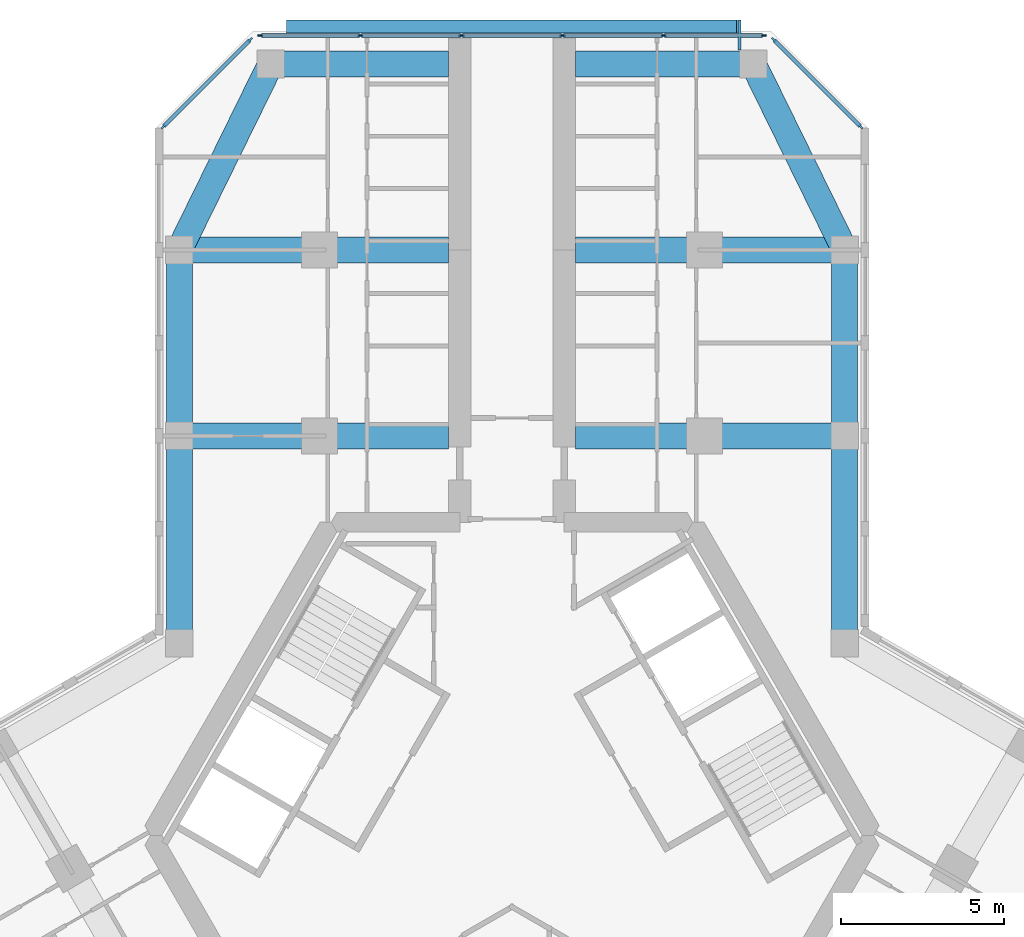
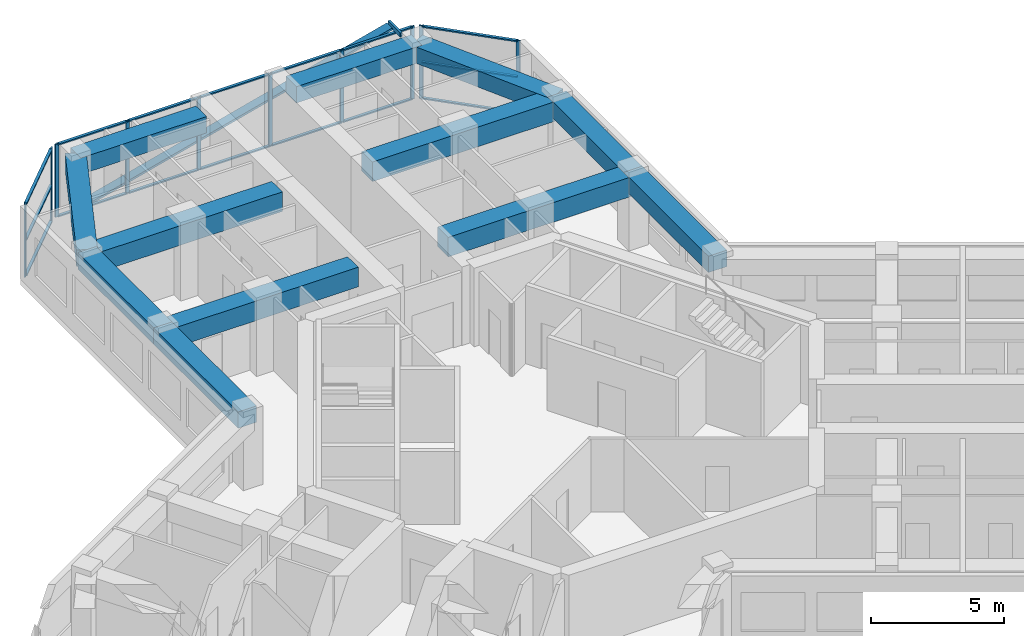
# One storey, part 6 of 16: 28 members, 12 beams, 3 elements without a shape of their own.
"""IFC4 building model written with IfcOpenShell, lengths in metres."""

from ifc_helpers import new_model, si_unit, direction, frame, origin, origin_2d, place, context, subcontext, project, spatial, rectangle, hollow_rectangle, extrude, material, material_profile, profile_set, type_object, element, aggregate, save


model = new_model("IFC4")

# Units and contexts
model_context = context("Model", 3, precision=1e-05, world=origin(), true_north=direction((0.0, 1.0)))
body_context = subcontext(model_context, "Body", "Model", "MODEL_VIEW")
ifc_project = project(units=[si_unit("LENGTHUNIT", "METRE"), si_unit("AREAUNIT", "SQUARE_METRE"), si_unit("VOLUMEUNIT", "CUBIC_METRE"), si_unit("PLANEANGLEUNIT", "RADIAN"), si_unit("MASSUNIT", "GRAM", prefix="KILO")], contexts=[model_context])

# Site, building, storey
site_placement = place(None, origin())
site = spatial("IfcSite", under=ifc_project, at=site_placement, CompositionType="ELEMENT")
building_placement = place(site_placement, origin())
building = spatial("IfcBuilding", under=site, at=building_placement, Name="Kosmar Iwan School Tower", CompositionType="ELEMENT")
storey_placement = place(building_placement, frame((0.0, 0.0, 249.60009765625)))
storey = spatial("IfcBuildingStorey", under=building, at=storey_placement, Name="L63", CompositionType="ELEMENT", Elevation=249.60009765625)

# Members
ifc_material_1 = material(Name="Black anodised aluminium", Category="aluminium")
ifc_material_profile_1 = material_profile(ifc_material_1, rectangle(XDim=0.10009765625, YDim=0.39990234375, at=origin_2d()), Name="FIN 100x400")
ifc_profile_set_1 = profile_set([ifc_material_profile_1], Name="Black anodised aluminium")
member_type_1 = type_object("IfcMemberType", Name="Diagonal fin 100x400", PredefinedType="USERDEFINED", material=ifc_profile_set_1)
member_1_placement = place(storey_placement, frame((-6.898193359375, 24.800048828125, -0.150146484375), z_axis=(0.967599450335, 0.0, 0.252490205179), x_axis=(-0.252490205179, 0.0, 0.967599450335)))
element("IfcMember", 1, at=member_1_placement, inside=storey, type_object=member_type_1, Name="Diagonal fin L63-F06", ObjectType="FIN", PredefinedType="USERDEFINED", context=body_context, shape_type="SweptSolid", body=[
    extrude(rectangle(XDim=0.10009765625, YDim=0.39990234375, at=origin_2d()), origin(), (0.0, 0.0, 1.0), 14.25830078125),
])
ifc_material_2 = material(Name="Steel S355", Category="steel")
ifc_material_profile_2 = material_profile(ifc_material_2, hollow_rectangle(XDim=0.10009765625, YDim=0.199951171875, WallThickness=0.008056640625, at=origin_2d()), Name="RHS 200x100x8")
ifc_profile_set_2 = profile_set([ifc_material_profile_2], Name="Steel S355")
member_type_2 = type_object("IfcMemberType", Name="Fin bracket RHS 200x100", PredefinedType="USERDEFINED", material=ifc_profile_set_2)
member_2_placement = place(storey_placement, frame((6.97509765625, 24.074951171875, 3.474853515625), z_axis=(0.0, 1.0, 0.0), x_axis=(-1.0, 0.0, 0.0)))
element("IfcMember", 2, at=member_2_placement, inside=storey, type_object=member_type_2, Name="Fin bracket L64", ObjectType="FIN BRACKET", PredefinedType="USERDEFINED", context=body_context, shape_type="SweptSolid", body=[
    extrude(hollow_rectangle(XDim=0.10009765625, YDim=0.199951171875, WallThickness=0.008056640625, at=origin_2d()), origin(), (0.0, 0.0, 1.0), 0.925048828125),
])

# Curtain wall, members
ifc_material_3 = material(Name="Dark glass in black aluminium frame", Category="aluminium")
curtain_wall_type_1 = type_object("IfcCurtainWallType", Name="Chamfer curtain wall dark glass", PredefinedType="USERDEFINED", material=ifc_material_3)
curtain_wall_1_placement = place(storey_placement, origin())
curtain_wall_1 = element("IfcCurtainWall", 3, at=curtain_wall_1_placement, inside=storey, type_object=curtain_wall_type_1, Name="Curtain wall L63-F05", ObjectType="FACETED CURTAIN WALL", PredefinedType="USERDEFINED")
ifc_material_4 = material(Name="Black anodised aluminium", Category="aluminium")
ifc_material_profile_3 = material_profile(ifc_material_4, rectangle(XDim=0.06005859375, YDim=0.159912109375, at=origin_2d()), Name="MULLION 60x160")
ifc_profile_set_3 = profile_set([ifc_material_profile_3], Name="Black anodised aluminium")
member_type_3 = type_object("IfcMemberType", Name="Mullion 60x160", PredefinedType="MULLION", material=ifc_profile_set_3)
member_3_placement = place(storey_placement, frame((10.69775390625, 21.7255859375, 0.0), z_axis=(0.0, 0.0, 1.0), x_axis=(-0.707106781187, -0.707106781187, 0.0)))
member_3 = element("IfcMember", 4, at=member_3_placement, type_object=member_type_3, Name="CW2 mullion 1", PredefinedType="MULLION", context=body_context, shape_type="SweptSolid", body=[
    extrude(rectangle(XDim=0.06005859375, YDim=0.159912109375, at=origin_2d()), origin(), (0.0, 0.0, 1.0), 3.349853515625),
])
member_4_placement = place(storey_placement, frame((8.025390625, 24.397705078125, 0.0), z_axis=(0.0, 0.0, 1.0), x_axis=(-0.707106781187, -0.707106781187, 0.0)))
member_4 = element("IfcMember", 5, at=member_4_placement, type_object=member_type_3, Name="CW2 mullion 2", PredefinedType="MULLION", context=body_context, shape_type="SweptSolid", body=[
    extrude(rectangle(XDim=0.06005859375, YDim=0.159912109375, at=origin_2d()), origin(), (0.0, 0.0, 1.0), 3.349853515625),
])

ifc_material_5 = material(Name="Dark glass in black aluminium frame", Category="aluminium")
curtain_wall_type_2 = type_object("IfcCurtainWallType", Name="Tower curtain wall dark glass", PredefinedType="USERDEFINED", material=ifc_material_5)
curtain_wall_2_placement = place(storey_placement, origin())
curtain_wall_2 = element("IfcCurtainWall", 6, at=curtain_wall_2_placement, inside=storey, type_object=curtain_wall_type_2, Name="Curtain wall L63-F06", ObjectType="UNITISED CURTAIN WALL", PredefinedType="USERDEFINED")
member_5_placement = place(storey_placement, frame((7.71826171875, 24.52490234375, 0.0), z_axis=(0.0, 0.0, 1.0), x_axis=(0.0, -1.0, 0.0)))
member_5 = element("IfcMember", 7, at=member_5_placement, type_object=member_type_3, Name="CW1 mullion 1", PredefinedType="MULLION", context=body_context, shape_type="SweptSolid", body=[
    extrude(rectangle(XDim=0.06005859375, YDim=0.159912109375, at=origin_2d()), origin(), (0.0, 0.0, 1.0), 3.349853515625),
])
member_6_placement = place(storey_placement, frame((4.64892578125, 24.52490234375, 0.0), z_axis=(0.0, 0.0, 1.0), x_axis=(0.0, -1.0, 0.0)))
member_6 = element("IfcMember", 8, at=member_6_placement, type_object=member_type_3, Name="CW1 mullion 2", PredefinedType="MULLION", context=body_context, shape_type="SweptSolid", body=[
    extrude(rectangle(XDim=0.06005859375, YDim=0.159912109375, at=origin_2d()), origin(), (0.0, 0.0, 1.0), 3.349853515625),
])
member_7_placement = place(storey_placement, frame((1.549560546875, 24.52490234375, 0.0), z_axis=(0.0, 0.0, 1.0), x_axis=(0.0, -1.0, 0.0)))
member_7 = element("IfcMember", 9, at=member_7_placement, type_object=member_type_3, Name="CW1 mullion 3", PredefinedType="MULLION", context=body_context, shape_type="SweptSolid", body=[
    extrude(rectangle(XDim=0.06005859375, YDim=0.159912109375, at=origin_2d()), origin(), (0.0, 0.0, 1.0), 3.349853515625),
])
member_8_placement = place(storey_placement, frame((-1.549560546875, 24.52490234375, 0.0), z_axis=(0.0, 0.0, 1.0), x_axis=(0.0, -1.0, 0.0)))
member_8 = element("IfcMember", 10, at=member_8_placement, type_object=member_type_3, Name="CW1 mullion 4", PredefinedType="MULLION", context=body_context, shape_type="SweptSolid", body=[
    extrude(rectangle(XDim=0.06005859375, YDim=0.159912109375, at=origin_2d()), origin(), (0.0, 0.0, 1.0), 3.349853515625),
])
member_9_placement = place(storey_placement, frame((-4.64892578125, 24.52490234375, 0.0), z_axis=(0.0, 0.0, 1.0), x_axis=(0.0, -1.0, 0.0)))
member_9 = element("IfcMember", 11, at=member_9_placement, type_object=member_type_3, Name="CW1 mullion 5", PredefinedType="MULLION", context=body_context, shape_type="SweptSolid", body=[
    extrude(rectangle(XDim=0.06005859375, YDim=0.159912109375, at=origin_2d()), origin(), (0.0, 0.0, 1.0), 3.349853515625),
])
member_10_placement = place(storey_placement, frame((-7.71826171875, 24.52490234375, 0.0), z_axis=(0.0, 0.0, 1.0), x_axis=(0.0, -1.0, 0.0)))
member_10 = element("IfcMember", 12, at=member_10_placement, type_object=member_type_3, Name="CW1 mullion 6", PredefinedType="MULLION", context=body_context, shape_type="SweptSolid", body=[
    extrude(rectangle(XDim=0.06005859375, YDim=0.159912109375, at=origin_2d()), origin(), (0.0, 0.0, 1.0), 3.349853515625),
])

curtain_wall_3_placement = place(storey_placement, origin())
curtain_wall_3 = element("IfcCurtainWall", 13, at=curtain_wall_3_placement, inside=storey, type_object=curtain_wall_type_1, Name="Curtain wall L63-F07", ObjectType="FACETED CURTAIN WALL", PredefinedType="USERDEFINED")
member_11_placement = place(storey_placement, frame((-8.025390625, 24.397705078125, 0.0), z_axis=(0.0, 0.0, 1.0), x_axis=(0.707106781187, -0.707106781187, 0.0)))
member_11 = element("IfcMember", 14, at=member_11_placement, type_object=member_type_3, Name="CW2 mullion 1", PredefinedType="MULLION", context=body_context, shape_type="SweptSolid", body=[
    extrude(rectangle(XDim=0.06005859375, YDim=0.159912109375, at=origin_2d()), origin(), (0.0, 0.0, 1.0), 3.349853515625),
])
member_12_placement = place(storey_placement, frame((-10.69775390625, 21.7255859375, 0.0), z_axis=(0.0, 0.0, 1.0), x_axis=(0.707106781187, -0.707106781187, 0.0)))
member_12 = element("IfcMember", 15, at=member_12_placement, type_object=member_type_3, Name="CW2 mullion 2", PredefinedType="MULLION", context=body_context, shape_type="SweptSolid", body=[
    extrude(rectangle(XDim=0.06005859375, YDim=0.159912109375, at=origin_2d()), origin(), (0.0, 0.0, 1.0), 3.349853515625),
])

# Beams
ifc_material_6 = material(Name="Concrete C50/60", Category="concrete")
ifc_material_profile_4 = material_profile(ifc_material_6, rectangle(XDim=0.800048828125, YDim=0.75, at=origin_2d()), Name="RC 800x750")
ifc_profile_set_4 = profile_set([ifc_material_profile_4], Name="Concrete C50/60")
beam_type_1 = type_object("IfcBeamType", Name="RC edge beam 800x750", PredefinedType="BEAM", material=ifc_profile_set_4)
beam_1_placement = place(storey_placement, frame((-10.199951171875, 5.888916015625, 2.974853515625), z_axis=(0.0, 1.0, 0.0), x_axis=(-1.0, 0.0, 0.0)))
element("IfcBeam", 16, at=beam_1_placement, inside=storey, type_object=beam_type_1, Name="Edge beam AL1", PredefinedType="BEAM", context=body_context, shape_type="SweptSolid", body=[
    extrude(rectangle(XDim=0.800048828125, YDim=0.75, at=origin_2d()), origin(), (0.0, 0.0, 1.0), 6.361083984375),
])
beam_2_placement = place(storey_placement, frame((-10.199951171875, 12.25, 2.974853515625), z_axis=(0.0, 1.0, 0.0), x_axis=(-1.0, 0.0, 0.0)))
element("IfcBeam", 17, at=beam_2_placement, inside=storey, type_object=beam_type_1, Name="Edge beam AL2", PredefinedType="BEAM", context=body_context, shape_type="SweptSolid", body=[
    extrude(rectangle(XDim=0.800048828125, YDim=0.75, at=origin_2d()), origin(), (0.0, 0.0, 1.0), 5.699951171875),
])
beam_3_placement = place(storey_placement, frame((10.199951171875, 5.888916015625, 2.974853515625), z_axis=(0.0, 1.0, 0.0), x_axis=(-1.0, 0.0, 0.0)))
element("IfcBeam", 18, at=beam_3_placement, inside=storey, type_object=beam_type_1, Name="Edge beam AR1", PredefinedType="BEAM", context=body_context, shape_type="SweptSolid", body=[
    extrude(rectangle(XDim=0.800048828125, YDim=0.75, at=origin_2d()), origin(), (0.0, 0.0, 1.0), 6.361083984375),
])
beam_4_placement = place(storey_placement, frame((10.199951171875, 12.25, 2.974853515625), z_axis=(0.0, 1.0, 0.0), x_axis=(-1.0, 0.0, 0.0)))
element("IfcBeam", 19, at=beam_4_placement, inside=storey, type_object=beam_type_1, Name="Edge beam AR2", PredefinedType="BEAM", context=body_context, shape_type="SweptSolid", body=[
    extrude(rectangle(XDim=0.800048828125, YDim=0.75, at=origin_2d()), origin(), (0.0, 0.0, 1.0), 5.699951171875),
])
ifc_material_7 = material(Name="Concrete C50/60", Category="concrete")
ifc_material_profile_5 = material_profile(ifc_material_7, rectangle(XDim=0.800048828125, YDim=0.75, at=origin_2d()), Name="RC 800x750")
ifc_profile_set_5 = profile_set([ifc_material_profile_5], Name="Concrete C50/60")
beam_type_2 = type_object("IfcBeamType", Name="RC tip beam 800x750", PredefinedType="BEAM", material=ifc_profile_set_5)
beam_5_placement = place(storey_placement, frame((-10.199951171875, 17.949951171875, 2.974853515625), z_axis=(0.440913116462, 0.897549788999, 0.0), x_axis=(-0.897549788999, 0.440913116462, 0.0)))
element("IfcBeam", 20, at=beam_5_placement, inside=storey, type_object=beam_type_2, Name="Tip beam AL", PredefinedType="BEAM", context=body_context, shape_type="SweptSolid", body=[
    extrude(rectangle(XDim=0.800048828125, YDim=0.75, at=origin_2d()), origin(), (0.0, 0.0, 1.0), 6.3505859375),
])
beam_6_placement = place(storey_placement, frame((-7.39990234375, 23.64990234375, 2.974853515625), z_axis=(1.0, 0.0, 0.0), x_axis=(0.0, 1.0, 0.0)))
element("IfcBeam", 21, at=beam_6_placement, inside=storey, type_object=beam_type_2, Name="Tip beam AL to corridor wall", PredefinedType="BEAM", context=body_context, shape_type="SweptSolid", body=[
    extrude(rectangle(XDim=0.800048828125, YDim=0.75, at=origin_2d()), origin(), (0.0, 0.0, 1.0), 5.449951171875),
])
beam_7_placement = place(storey_placement, frame((10.199951171875, 17.949951171875, 2.974853515625), z_axis=(-0.440913116462, 0.897549788999, 0.0), x_axis=(-0.897549788999, -0.440913116462, 0.0)))
element("IfcBeam", 22, at=beam_7_placement, inside=storey, type_object=beam_type_2, Name="Tip beam AR", PredefinedType="BEAM", context=body_context, shape_type="SweptSolid", body=[
    extrude(rectangle(XDim=0.800048828125, YDim=0.75, at=origin_2d()), origin(), (0.0, 0.0, 1.0), 6.3505859375),
])
beam_8_placement = place(storey_placement, frame((7.39990234375, 23.64990234375, 2.974853515625), z_axis=(-1.0, 0.0, 0.0), x_axis=(0.0, -1.0, 0.0)))
element("IfcBeam", 23, at=beam_8_placement, inside=storey, type_object=beam_type_2, Name="Tip beam AR to corridor wall", PredefinedType="BEAM", context=body_context, shape_type="SweptSolid", body=[
    extrude(rectangle(XDim=0.800048828125, YDim=0.75, at=origin_2d()), origin(), (0.0, 0.0, 1.0), 5.449951171875),
])
ifc_material_8 = material(Name="Concrete C50/60", Category="concrete")
ifc_material_profile_6 = material_profile(ifc_material_8, rectangle(XDim=0.800048828125, YDim=0.89990234375, at=origin_2d()), Name="RC 800x900")
ifc_profile_set_6 = profile_set([ifc_material_profile_6], Name="Concrete C50/60")
beam_type_3 = type_object("IfcBeamType", Name="RC transverse beam 800x900", PredefinedType="BEAM", material=ifc_profile_set_6)
for number, where, z_axis, x_axis, name in (
    (24, (-10.199951171875, 12.25, 2.89990234375), (1.0, 0.0, 0.0), (0.0, 1.0, 0.0), "Transverse beam AL1"),
    (25, (-10.199951171875, 17.949951171875, 2.89990234375), (1.0, 0.0, 0.0), (0.0, 1.0, 0.0), "Transverse beam AL2"),
    (26, (10.199951171875, 12.25, 2.89990234375), (-1.0, 0.0, 0.0), (0.0, -1.0, 0.0), "Transverse beam AR1"),
    (27, (10.199951171875, 17.949951171875, 2.89990234375), (-1.0, 0.0, 0.0), (0.0, -1.0, 0.0), "Transverse beam AR2"),
):
    element("IfcBeam", number, at=place(storey_placement, frame(where, z_axis=z_axis, x_axis=x_axis)), inside=storey, type_object=beam_type_3, Name=name, PredefinedType="BEAM", context=body_context, shape_type="SweptSolid", body=[
        extrude(rectangle(XDim=0.800048828125, YDim=0.89990234375, at=origin_2d()), origin(), (0.0, 0.0, 1.0), 8.25),
    ])

# Member
ifc_material_9 = material(Name="Black anodised aluminium", Category="aluminium")
ifc_material_profile_7 = material_profile(ifc_material_9, rectangle(XDim=0.1201171875, YDim=0.06005859375, at=origin_2d()), Name="TRANSOM 60x120")
ifc_profile_set_7 = profile_set([ifc_material_profile_7], Name="Black anodised aluminium")
member_type_4 = type_object("IfcMemberType", Name="Transom 60x120", PredefinedType="USERDEFINED", material=ifc_profile_set_7)
member_13_placement = place(storey_placement, frame((10.676513671875, 21.746826171875, 0.02978515625), z_axis=(-0.707139603466, 0.707073957383, 0.0), x_axis=(-0.707073957383, -0.707139603466, 0.0)))
member_13 = element("IfcMember", 28, at=member_13_placement, type_object=member_type_4, Name="CW2 transom 1.1", ObjectType="TRANSOM", PredefinedType="USERDEFINED", context=body_context, shape_type="SweptSolid", body=[
    extrude(rectangle(XDim=0.1201171875, YDim=0.06005859375, at=origin_2d()), origin(), (0.0, 0.0, 1.0), 3.718994140625),
])

member_14_placement = place(storey_placement, frame((10.676513671875, 21.746826171875, 1.6748046875), z_axis=(-0.707139603466, 0.707073957383, 0.0), x_axis=(-0.707073957383, -0.707139603466, 0.0)))
member_14 = element("IfcMember", 29, at=member_14_placement, type_object=member_type_4, Name="CW2 transom 1.2", ObjectType="TRANSOM", PredefinedType="USERDEFINED", context=body_context, shape_type="SweptSolid", body=[
    extrude(rectangle(XDim=0.1201171875, YDim=0.06005859375, at=origin_2d()), origin(), (0.0, 0.0, 1.0), 3.718994140625),
])

member_15_placement = place(storey_placement, frame((10.676513671875, 21.746826171875, 3.31982421875), z_axis=(-0.707139603466, 0.707073957383, 0.0), x_axis=(-0.707073957383, -0.707139603466, 0.0)))
member_15 = element("IfcMember", 30, at=member_15_placement, type_object=member_type_4, Name="CW2 transom 1.3", ObjectType="TRANSOM", PredefinedType="USERDEFINED", context=body_context, shape_type="SweptSolid", body=[
    extrude(rectangle(XDim=0.1201171875, YDim=0.06005859375, at=origin_2d()), origin(), (0.0, 0.0, 1.0), 3.718994140625),
])

aggregate(curtain_wall_1, [member_3, member_4, member_13, member_14, member_15])

member_16_placement = place(storey_placement, frame((7.688232421875, 24.52490234375, 0.02978515625), z_axis=(-1.0, 0.0, 0.0), x_axis=(0.0, -1.0, 0.0)))
member_16 = element("IfcMember", 31, at=member_16_placement, type_object=member_type_4, Name="CW1 transom 1.1", ObjectType="TRANSOM", PredefinedType="USERDEFINED", context=body_context, shape_type="SweptSolid", body=[
    extrude(rectangle(XDim=0.1201171875, YDim=0.06005859375, at=origin_2d()), origin(), (0.0, 0.0, 1.0), 3.00927734375),
])

member_17_placement = place(storey_placement, frame((7.688232421875, 24.52490234375, 3.31982421875), z_axis=(-1.0, 0.0, 0.0), x_axis=(0.0, -1.0, 0.0)))
member_17 = element("IfcMember", 32, at=member_17_placement, type_object=member_type_4, Name="CW1 transom 1.2", ObjectType="TRANSOM", PredefinedType="USERDEFINED", context=body_context, shape_type="SweptSolid", body=[
    extrude(rectangle(XDim=0.1201171875, YDim=0.06005859375, at=origin_2d()), origin(), (0.0, 0.0, 1.0), 3.00927734375),
])

member_18_placement = place(storey_placement, frame((4.618896484375, 24.52490234375, 0.02978515625), z_axis=(-1.0, 0.0, 0.0), x_axis=(0.0, -1.0, 0.0)))
member_18 = element("IfcMember", 33, at=member_18_placement, type_object=member_type_4, Name="CW1 transom 2.1", ObjectType="TRANSOM", PredefinedType="USERDEFINED", context=body_context, shape_type="SweptSolid", body=[
    extrude(rectangle(XDim=0.1201171875, YDim=0.06005859375, at=origin_2d()), origin(), (0.0, 0.0, 1.0), 3.039306640625),
])

member_19_placement = place(storey_placement, frame((4.618896484375, 24.52490234375, 3.31982421875), z_axis=(-1.0, 0.0, 0.0), x_axis=(0.0, -1.0, 0.0)))
member_19 = element("IfcMember", 34, at=member_19_placement, type_object=member_type_4, Name="CW1 transom 2.2", ObjectType="TRANSOM", PredefinedType="USERDEFINED", context=body_context, shape_type="SweptSolid", body=[
    extrude(rectangle(XDim=0.1201171875, YDim=0.06005859375, at=origin_2d()), origin(), (0.0, 0.0, 1.0), 3.039306640625),
])

member_20_placement = place(storey_placement, frame((1.51953125, 24.52490234375, 0.02978515625), z_axis=(-1.0, 0.0, 0.0), x_axis=(0.0, -1.0, 0.0)))
member_20 = element("IfcMember", 35, at=member_20_placement, type_object=member_type_4, Name="CW1 transom 3.1", ObjectType="TRANSOM", PredefinedType="USERDEFINED", context=body_context, shape_type="SweptSolid", body=[
    extrude(rectangle(XDim=0.1201171875, YDim=0.06005859375, at=origin_2d()), origin(), (0.0, 0.0, 1.0), 3.0390625),
])

member_21_placement = place(storey_placement, frame((1.51953125, 24.52490234375, 3.31982421875), z_axis=(-1.0, 0.0, 0.0), x_axis=(0.0, -1.0, 0.0)))
member_21 = element("IfcMember", 36, at=member_21_placement, type_object=member_type_4, Name="CW1 transom 3.2", ObjectType="TRANSOM", PredefinedType="USERDEFINED", context=body_context, shape_type="SweptSolid", body=[
    extrude(rectangle(XDim=0.1201171875, YDim=0.06005859375, at=origin_2d()), origin(), (0.0, 0.0, 1.0), 3.0390625),
])

member_22_placement = place(storey_placement, frame((-1.57958984375, 24.52490234375, 0.02978515625), z_axis=(-1.0, 0.0, 0.0), x_axis=(0.0, -1.0, 0.0)))
member_22 = element("IfcMember", 37, at=member_22_placement, type_object=member_type_4, Name="CW1 transom 4.1", ObjectType="TRANSOM", PredefinedType="USERDEFINED", context=body_context, shape_type="SweptSolid", body=[
    extrude(rectangle(XDim=0.1201171875, YDim=0.06005859375, at=origin_2d()), origin(), (0.0, 0.0, 1.0), 3.039306640625),
])

member_23_placement = place(storey_placement, frame((-1.57958984375, 24.52490234375, 3.31982421875), z_axis=(-1.0, 0.0, 0.0), x_axis=(0.0, -1.0, 0.0)))
member_23 = element("IfcMember", 38, at=member_23_placement, type_object=member_type_4, Name="CW1 transom 4.2", ObjectType="TRANSOM", PredefinedType="USERDEFINED", context=body_context, shape_type="SweptSolid", body=[
    extrude(rectangle(XDim=0.1201171875, YDim=0.06005859375, at=origin_2d()), origin(), (0.0, 0.0, 1.0), 3.039306640625),
])

member_24_placement = place(storey_placement, frame((-4.678955078125, 24.52490234375, 0.02978515625), z_axis=(-1.0, 0.0, 0.0), x_axis=(0.0, -1.0, 0.0)))
member_24 = element("IfcMember", 39, at=member_24_placement, type_object=member_type_4, Name="CW1 transom 5.1", ObjectType="TRANSOM", PredefinedType="USERDEFINED", context=body_context, shape_type="SweptSolid", body=[
    extrude(rectangle(XDim=0.1201171875, YDim=0.06005859375, at=origin_2d()), origin(), (0.0, 0.0, 1.0), 3.00927734375),
])

member_25_placement = place(storey_placement, frame((-4.678955078125, 24.52490234375, 3.31982421875), z_axis=(-1.0, 0.0, 0.0), x_axis=(0.0, -1.0, 0.0)))
member_25 = element("IfcMember", 40, at=member_25_placement, type_object=member_type_4, Name="CW1 transom 5.2", ObjectType="TRANSOM", PredefinedType="USERDEFINED", context=body_context, shape_type="SweptSolid", body=[
    extrude(rectangle(XDim=0.1201171875, YDim=0.06005859375, at=origin_2d()), origin(), (0.0, 0.0, 1.0), 3.00927734375),
])

aggregate(curtain_wall_2, [member_5, member_6, member_7, member_8, member_9, member_10, member_16, member_17, member_18, member_19, member_20, member_21, member_22, member_23, member_24, member_25])

member_26_placement = place(storey_placement, frame((-8.046630859375, 24.37646484375, 0.02978515625), z_axis=(-0.707139603466, -0.707073957383, 0.0), x_axis=(0.707073957383, -0.707139603466, 0.0)))
member_26 = element("IfcMember", 41, at=member_26_placement, type_object=member_type_4, Name="CW2 transom 1.1", ObjectType="TRANSOM", PredefinedType="USERDEFINED", context=body_context, shape_type="SweptSolid", body=[
    extrude(rectangle(XDim=0.1201171875, YDim=0.06005859375, at=origin_2d()), origin(), (0.0, 0.0, 1.0), 3.718994140625),
])

member_27_placement = place(storey_placement, frame((-8.046630859375, 24.37646484375, 1.6748046875), z_axis=(-0.707139603466, -0.707073957383, 0.0), x_axis=(0.707073957383, -0.707139603466, 0.0)))
member_27 = element("IfcMember", 42, at=member_27_placement, type_object=member_type_4, Name="CW2 transom 1.2", ObjectType="TRANSOM", PredefinedType="USERDEFINED", context=body_context, shape_type="SweptSolid", body=[
    extrude(rectangle(XDim=0.1201171875, YDim=0.06005859375, at=origin_2d()), origin(), (0.0, 0.0, 1.0), 3.718994140625),
])

member_28_placement = place(storey_placement, frame((-8.046630859375, 24.37646484375, 3.31982421875), z_axis=(-0.707139603466, -0.707073957383, 0.0), x_axis=(0.707073957383, -0.707139603466, 0.0)))
member_28 = element("IfcMember", 43, at=member_28_placement, type_object=member_type_4, Name="CW2 transom 1.3", ObjectType="TRANSOM", PredefinedType="USERDEFINED", context=body_context, shape_type="SweptSolid", body=[
    extrude(rectangle(XDim=0.1201171875, YDim=0.06005859375, at=origin_2d()), origin(), (0.0, 0.0, 1.0), 3.718994140625),
])

aggregate(curtain_wall_3, [member_11, member_12, member_26, member_27, member_28])

save(model, "model.ifc")
